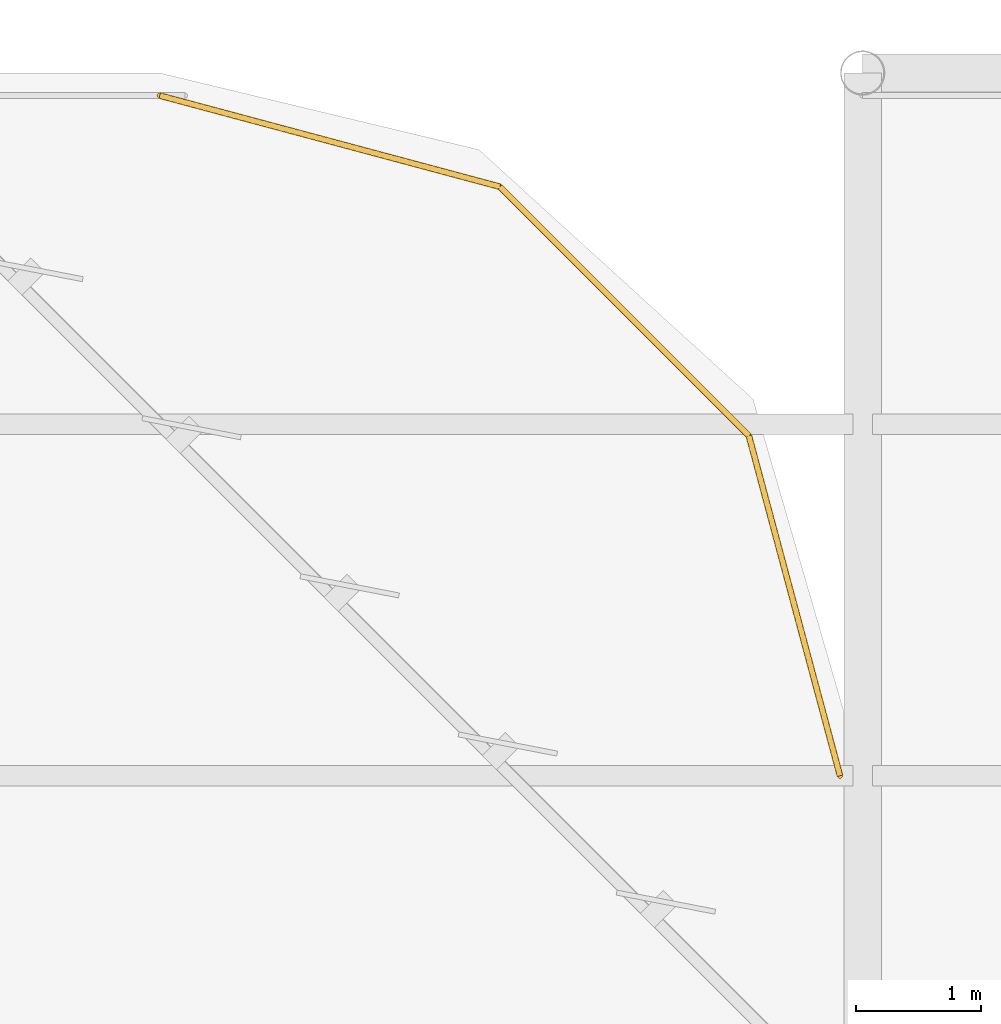
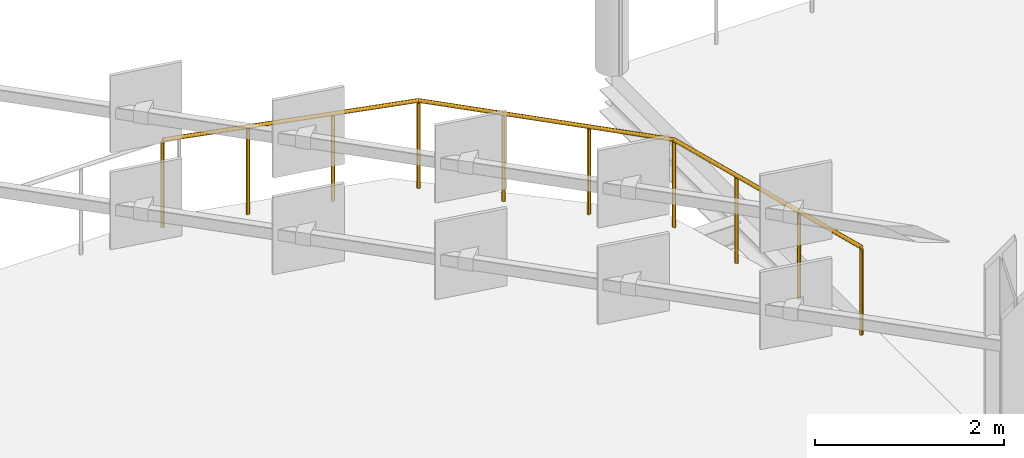
# One storey, part 184 of 184: 1 railing.
"""IFC4 building model written with IfcOpenShell, lengths in metres."""

from ifc_helpers import new_model, si_unit, direction, frame, origin, origin_2d, place, context, subcontext, project, spatial, circle, extrude, material, type_object, element, save


model = new_model("IFC4")

# Units and contexts
model_context = context("Model", 3, precision=1e-05, world=origin(), true_north=direction((0.0, 1.0)))
body_context = subcontext(model_context, "Body", "Model", "MODEL_VIEW")
ifc_project = project(units=[si_unit("LENGTHUNIT", "METRE"), si_unit("AREAUNIT", "SQUARE_METRE"), si_unit("VOLUMEUNIT", "CUBIC_METRE"), si_unit("PLANEANGLEUNIT", "RADIAN"), si_unit("MASSUNIT", "GRAM", prefix="KILO")], contexts=[model_context])

# Site, building, storey
site_placement = place(None, origin())
site = spatial("IfcSite", under=ifc_project, at=site_placement, CompositionType="ELEMENT")
building_placement = place(site_placement, origin())
building = spatial("IfcBuilding", under=site, at=building_placement, Name="Qalvenar Corner Mobility Hub", CompositionType="ELEMENT")
storey_placement = place(building_placement, frame((0.0, 0.0, 9.0)))
storey = spatial("IfcBuildingStorey", under=building, at=storey_placement, Name="L02", CompositionType="ELEMENT", Elevation=9.0)

# Railing
ifc_material = material(Name="Galvanised Steel Deck Edge Barrier", Category="steel")
railing_type = type_object("IfcRailingType", Name="RL-GUARD-115", PredefinedType="GUARDRAIL", material=ifc_material)
railing_placement = place(storey_placement, frame((142.6201171875, 112.0, 0.0)))
element("IfcRailing", 1, at=railing_placement, inside=storey, type_object=railing_type, Name="Rounded Corner Barrier L02-NE", PredefinedType="GUARDRAIL", context=body_context, shape_type="SweptSolid", body=[
    extrude(circle(Radius=0.02392578125, at=origin_2d()), frame((0.0, 0.0, 1.1259765625), z_axis=(-0.25888107057, 0.965909204481, 0.0), x_axis=(-0.965909204481, -0.25888107057, 0.0)), (0.0, 0.0, 1.0), 2.8056640625),
    extrude(circle(Radius=0.02392578125, at=origin_2d()), frame((-0.726318359375, 2.7099609375, 1.1259765625), z_axis=(-0.707106781187, 0.707106781187, 0.0), x_axis=(-0.707106781187, -0.707106781187, 0.0)), (0.0, 0.0, 1.0), 2.8056640625),
    extrude(circle(Radius=0.02392578125, at=origin_2d()), frame((-2.710205078125, 4.69384765625, 1.1259765625), z_axis=(-0.965930961109, 0.258799880931, 0.0), x_axis=(-0.258799880931, -0.965930961109, 0.0)), (0.0, 0.0, 1.0), 2.8056640625),
    extrude(circle(Radius=0.02099609375, at=origin_2d()), origin(), (0.0, 0.0, 1.0), 1.101806640625),
    extrude(circle(Radius=0.02099609375, at=origin_2d()), frame((-0.2421875, 0.9033203125, 0.0)), (0.0, 0.0, 1.0), 1.101806640625),
    extrude(circle(Radius=0.02099609375, at=origin_2d()), frame((-0.484130859375, 1.806640625, 0.0)), (0.0, 0.0, 1.0), 1.101806640625),
    extrude(circle(Radius=0.02099609375, at=origin_2d()), frame((-0.726318359375, 2.7099609375, 0.0)), (0.0, 0.0, 1.0), 1.101806640625),
    extrude(circle(Radius=0.02099609375, at=origin_2d()), frame((-1.3876953125, 3.371337890625, 0.0)), (0.0, 0.0, 1.0), 1.101806640625),
    extrude(circle(Radius=0.02099609375, at=origin_2d()), frame((-2.048828125, 4.032470703125, 0.0)), (0.0, 0.0, 1.0), 1.101806640625),
    extrude(circle(Radius=0.02099609375, at=origin_2d()), frame((-2.710205078125, 4.69384765625, 0.0)), (0.0, 0.0, 1.0), 1.101806640625),
    extrude(circle(Radius=0.02099609375, at=origin_2d()), frame((-3.613525390625, 4.935791015625, 0.0)), (0.0, 0.0, 1.0), 1.101806640625),
    extrude(circle(Radius=0.02099609375, at=origin_2d()), frame((-4.516845703125, 5.177978515625, 0.0)), (0.0, 0.0, 1.0), 1.101806640625),
    extrude(circle(Radius=0.02099609375, at=origin_2d()), frame((-5.420166015625, 5.419921875, 0.0)), (0.0, 0.0, 1.0), 1.101806640625),
])

save(model, "model.ifc")
